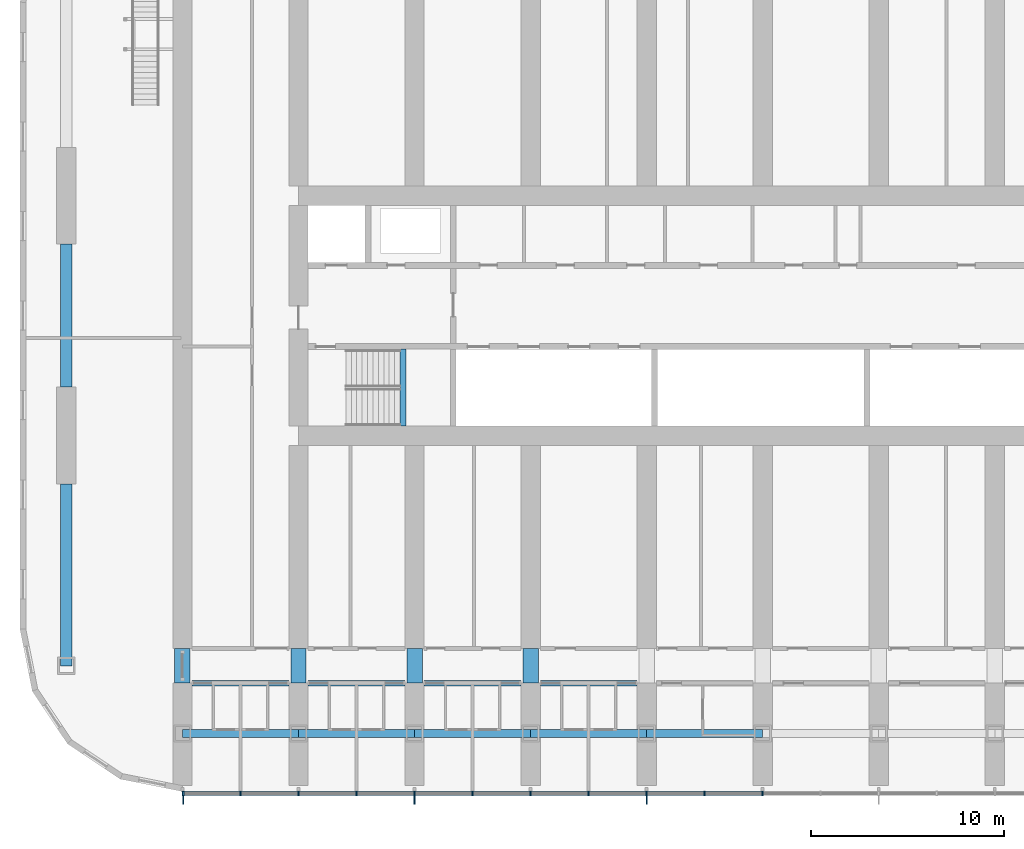
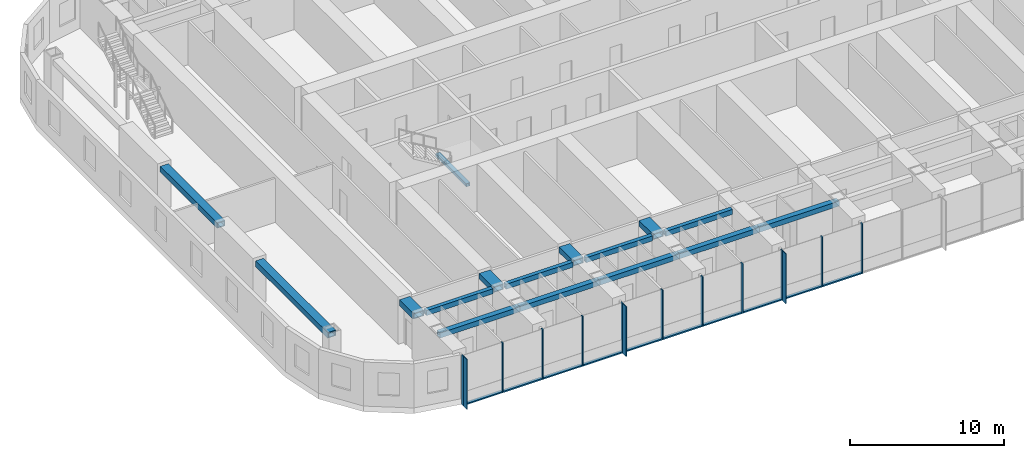
# One storey, part 4 of 28: 24 members, 16 beams, 1 element without a shape of its own.
"""IFC4 building model written with IfcOpenShell, lengths in metres."""

from ifc_helpers import new_model, si_unit, direction, frame, origin, origin_2d, place, context, subcontext, project, spatial, rectangle, hollow_rectangle, extrude, material, material_profile, profile_set, type_object, element, aggregate, save


model = new_model("IFC4")

# Units and contexts
model_context = context("Model", 3, precision=1e-05, world=origin(), true_north=direction((0.0, 1.0)))
body_context = subcontext(model_context, "Body", "Model", "MODEL_VIEW")
ifc_project = project(units=[si_unit("LENGTHUNIT", "METRE"), si_unit("AREAUNIT", "SQUARE_METRE"), si_unit("VOLUMEUNIT", "CUBIC_METRE"), si_unit("PLANEANGLEUNIT", "RADIAN"), si_unit("MASSUNIT", "GRAM", prefix="KILO")], contexts=[model_context])

# Site, building, storey
site_placement = place(None, origin())
site = spatial("IfcSite", under=ifc_project, at=site_placement, CompositionType="ELEMENT")
building_placement = place(site_placement, origin())
building = spatial("IfcBuilding", under=site, at=building_placement, Name="Orbita Commons", CompositionType="ELEMENT")
storey_placement = place(building_placement, frame((0.0, 0.0, 38.949951171875)))
storey = spatial("IfcBuildingStorey", under=building, at=storey_placement, Name="L09", CompositionType="ELEMENT", Elevation=38.949951171875)

# Curtain wall, members
ifc_material_1 = material(Name="Anodised aluminium frame, pale silver", Category="aluminium")
curtain_wall_type = type_object("IfcCurtainWallType", Name="Unitised curtain wall CW-T, vision and spandrel", PredefinedType="NOTDEFINED", material=ifc_material_1)
curtain_wall_placement = place(storey_placement, origin())
curtain_wall = element("IfcCurtainWall", 1, at=curtain_wall_placement, inside=storey, type_object=curtain_wall_type, Name="Curtain wall south L09", PredefinedType="NOTDEFINED")
ifc_material_2 = material(Name="Anodised aluminium, pale silver", Category="aluminium")
ifc_material_profile_1 = material_profile(ifc_material_2, rectangle(XDim=0.080078125, YDim=0.219970703125, at=origin_2d()), Name="AL 80x220")
ifc_profile_set_1 = profile_set([ifc_material_profile_1], Name="Anodised aluminium, pale silver")
member_type_1 = type_object("IfcMemberType", Name="Curtain wall mullion 80x220", PredefinedType="MULLION", material=ifc_profile_set_1)
member_1_placement = place(storey_placement, frame((12.0400390625, 7.2900390625, -0.449951171875), z_axis=(0.0, 0.0, 1.0), x_axis=(1.0, 0.0, 0.0)))
member_1 = element("IfcMember", 2, at=member_1_placement, type_object=member_type_1, Name="Mullion 1 CW-L09-S", PredefinedType="MULLION", context=body_context, shape_type="SweptSolid", body=[
    extrude(rectangle(XDim=0.080078125, YDim=0.219970703125, at=origin_2d()), origin(), (0.0, 0.0, 1.0), 3.949951171875),
])
member_2_placement = place(storey_placement, frame((15.0, 7.2900390625, -0.449951171875), z_axis=(0.0, 0.0, 1.0), x_axis=(1.0, 0.0, 0.0)))
member_2 = element("IfcMember", 3, at=member_2_placement, type_object=member_type_1, Name="Mullion 2 CW-L09-S", PredefinedType="MULLION", context=body_context, shape_type="SweptSolid", body=[
    extrude(rectangle(XDim=0.080078125, YDim=0.219970703125, at=origin_2d()), origin(), (0.0, 0.0, 1.0), 3.949951171875),
])
member_3_placement = place(storey_placement, frame((18.0, 7.2900390625, -0.449951171875), z_axis=(0.0, 0.0, 1.0), x_axis=(1.0, 0.0, 0.0)))
member_3 = element("IfcMember", 4, at=member_3_placement, type_object=member_type_1, Name="Mullion 3 CW-L09-S", PredefinedType="MULLION", context=body_context, shape_type="SweptSolid", body=[
    extrude(rectangle(XDim=0.080078125, YDim=0.219970703125, at=origin_2d()), origin(), (0.0, 0.0, 1.0), 3.949951171875),
])
member_4_placement = place(storey_placement, frame((21.0, 7.2900390625, -0.449951171875), z_axis=(0.0, 0.0, 1.0), x_axis=(1.0, 0.0, 0.0)))
member_4 = element("IfcMember", 5, at=member_4_placement, type_object=member_type_1, Name="Mullion 4 CW-L09-S", PredefinedType="MULLION", context=body_context, shape_type="SweptSolid", body=[
    extrude(rectangle(XDim=0.080078125, YDim=0.219970703125, at=origin_2d()), origin(), (0.0, 0.0, 1.0), 3.949951171875),
])
member_5_placement = place(storey_placement, frame((24.0, 7.2900390625, -0.449951171875), z_axis=(0.0, 0.0, 1.0), x_axis=(1.0, 0.0, 0.0)))
member_5 = element("IfcMember", 6, at=member_5_placement, type_object=member_type_1, Name="Mullion 5 CW-L09-S", PredefinedType="MULLION", context=body_context, shape_type="SweptSolid", body=[
    extrude(rectangle(XDim=0.080078125, YDim=0.219970703125, at=origin_2d()), origin(), (0.0, 0.0, 1.0), 3.949951171875),
])
member_6_placement = place(storey_placement, frame((27.0, 7.2900390625, -0.449951171875), z_axis=(0.0, 0.0, 1.0), x_axis=(1.0, 0.0, 0.0)))
member_6 = element("IfcMember", 7, at=member_6_placement, type_object=member_type_1, Name="Mullion 6 CW-L09-S", PredefinedType="MULLION", context=body_context, shape_type="SweptSolid", body=[
    extrude(rectangle(XDim=0.080078125, YDim=0.219970703125, at=origin_2d()), origin(), (0.0, 0.0, 1.0), 3.949951171875),
])
member_7_placement = place(storey_placement, frame((30.0, 7.2900390625, -0.449951171875), z_axis=(0.0, 0.0, 1.0), x_axis=(1.0, 0.0, 0.0)))
member_7 = element("IfcMember", 8, at=member_7_placement, type_object=member_type_1, Name="Mullion 7 CW-L09-S", PredefinedType="MULLION", context=body_context, shape_type="SweptSolid", body=[
    extrude(rectangle(XDim=0.080078125, YDim=0.219970703125, at=origin_2d()), origin(), (0.0, 0.0, 1.0), 3.949951171875),
])
member_8_placement = place(storey_placement, frame((33.0, 7.2900390625, -0.449951171875), z_axis=(0.0, 0.0, 1.0), x_axis=(1.0, 0.0, 0.0)))
member_8 = element("IfcMember", 9, at=member_8_placement, type_object=member_type_1, Name="Mullion 8 CW-L09-S", PredefinedType="MULLION", context=body_context, shape_type="SweptSolid", body=[
    extrude(rectangle(XDim=0.080078125, YDim=0.219970703125, at=origin_2d()), origin(), (0.0, 0.0, 1.0), 3.949951171875),
])
member_9_placement = place(storey_placement, frame((36.0, 7.2900390625, -0.449951171875), z_axis=(0.0, 0.0, 1.0), x_axis=(1.0, 0.0, 0.0)))
member_9 = element("IfcMember", 10, at=member_9_placement, type_object=member_type_1, Name="Mullion 9 CW-L09-S", PredefinedType="MULLION", context=body_context, shape_type="SweptSolid", body=[
    extrude(rectangle(XDim=0.080078125, YDim=0.219970703125, at=origin_2d()), origin(), (0.0, 0.0, 1.0), 3.949951171875),
])
member_10_placement = place(storey_placement, frame((39.0, 7.2900390625, -0.449951171875), z_axis=(0.0, 0.0, 1.0), x_axis=(1.0, 0.0, 0.0)))
member_10 = element("IfcMember", 11, at=member_10_placement, type_object=member_type_1, Name="Mullion 10 CW-L09-S", PredefinedType="MULLION", context=body_context, shape_type="SweptSolid", body=[
    extrude(rectangle(XDim=0.080078125, YDim=0.219970703125, at=origin_2d()), origin(), (0.0, 0.0, 1.0), 3.949951171875),
])
member_11_placement = place(storey_placement, frame((42.0, 7.2900390625, -0.449951171875), z_axis=(0.0, 0.0, 1.0), x_axis=(1.0, 0.0, 0.0)))
member_11 = element("IfcMember", 12, at=member_11_placement, type_object=member_type_1, Name="Mullion 11 CW-L09-S", PredefinedType="MULLION", context=body_context, shape_type="SweptSolid", body=[
    extrude(rectangle(XDim=0.080078125, YDim=0.219970703125, at=origin_2d()), origin(), (0.0, 0.0, 1.0), 3.949951171875),
])
ifc_material_3 = material(Name="Anodised aluminium, pale silver", Category="aluminium")
ifc_material_profile_2 = material_profile(ifc_material_3, rectangle(XDim=0.219970703125, YDim=0.10009765625, at=origin_2d()), Name="AL 220x100")
ifc_profile_set_2 = profile_set([ifc_material_profile_2], Name="Anodised aluminium, pale silver")
member_type_2 = type_object("IfcMemberType", Name="Curtain wall stack transom 220x100", PredefinedType="USERDEFINED", material=ifc_profile_set_2)
member_12_placement = place(storey_placement, frame((12.080078125, 7.2900390625, -0.39990234375), z_axis=(1.0, 0.0, 0.0), x_axis=(0.0, 1.0, 0.0)))
member_12 = element("IfcMember", 13, at=member_12_placement, type_object=member_type_2, Name="Transom 1.1 CW-L09-S", ObjectType="TRANSOM", PredefinedType="USERDEFINED", context=body_context, shape_type="SweptSolid", body=[
    extrude(rectangle(XDim=0.219970703125, YDim=0.10009765625, at=origin_2d()), origin(), (0.0, 0.0, 1.0), 2.8798828125),
])
member_13_placement = place(storey_placement, frame((15.0400390625, 7.2900390625, -0.39990234375), z_axis=(1.0, 0.0, 0.0), x_axis=(0.0, 1.0, 0.0)))
member_13 = element("IfcMember", 14, at=member_13_placement, type_object=member_type_2, Name="Transom 2.1 CW-L09-S", ObjectType="TRANSOM", PredefinedType="USERDEFINED", context=body_context, shape_type="SweptSolid", body=[
    extrude(rectangle(XDim=0.219970703125, YDim=0.10009765625, at=origin_2d()), origin(), (0.0, 0.0, 1.0), 2.919921875),
])
member_14_placement = place(storey_placement, frame((18.0400390625, 7.2900390625, -0.39990234375), z_axis=(1.0, 0.0, 0.0), x_axis=(0.0, 1.0, 0.0)))
member_14 = element("IfcMember", 15, at=member_14_placement, type_object=member_type_2, Name="Transom 3.1 CW-L09-S", ObjectType="TRANSOM", PredefinedType="USERDEFINED", context=body_context, shape_type="SweptSolid", body=[
    extrude(rectangle(XDim=0.219970703125, YDim=0.10009765625, at=origin_2d()), origin(), (0.0, 0.0, 1.0), 2.919921875),
])
member_15_placement = place(storey_placement, frame((21.0400390625, 7.2900390625, -0.39990234375), z_axis=(1.0, 0.0, 0.0), x_axis=(0.0, 1.0, 0.0)))
member_15 = element("IfcMember", 16, at=member_15_placement, type_object=member_type_2, Name="Transom 4.1 CW-L09-S", ObjectType="TRANSOM", PredefinedType="USERDEFINED", context=body_context, shape_type="SweptSolid", body=[
    extrude(rectangle(XDim=0.219970703125, YDim=0.10009765625, at=origin_2d()), origin(), (0.0, 0.0, 1.0), 2.919921875),
])
member_16_placement = place(storey_placement, frame((24.0400390625, 7.2900390625, -0.39990234375), z_axis=(1.0, 0.0, 0.0), x_axis=(0.0, 1.0, 0.0)))
member_16 = element("IfcMember", 17, at=member_16_placement, type_object=member_type_2, Name="Transom 5.1 CW-L09-S", ObjectType="TRANSOM", PredefinedType="USERDEFINED", context=body_context, shape_type="SweptSolid", body=[
    extrude(rectangle(XDim=0.219970703125, YDim=0.10009765625, at=origin_2d()), origin(), (0.0, 0.0, 1.0), 2.919921875),
])
member_17_placement = place(storey_placement, frame((27.0400390625, 7.2900390625, -0.39990234375), z_axis=(1.0, 0.0, 0.0), x_axis=(0.0, 1.0, 0.0)))
member_17 = element("IfcMember", 18, at=member_17_placement, type_object=member_type_2, Name="Transom 6.1 CW-L09-S", ObjectType="TRANSOM", PredefinedType="USERDEFINED", context=body_context, shape_type="SweptSolid", body=[
    extrude(rectangle(XDim=0.219970703125, YDim=0.10009765625, at=origin_2d()), origin(), (0.0, 0.0, 1.0), 2.919921875),
])
member_18_placement = place(storey_placement, frame((30.0400390625, 7.2900390625, -0.39990234375), z_axis=(1.0, 0.0, 0.0), x_axis=(0.0, 1.0, 0.0)))
member_18 = element("IfcMember", 19, at=member_18_placement, type_object=member_type_2, Name="Transom 7.1 CW-L09-S", ObjectType="TRANSOM", PredefinedType="USERDEFINED", context=body_context, shape_type="SweptSolid", body=[
    extrude(rectangle(XDim=0.219970703125, YDim=0.10009765625, at=origin_2d()), origin(), (0.0, 0.0, 1.0), 2.919921875),
])
member_19_placement = place(storey_placement, frame((33.0400390625, 7.2900390625, -0.39990234375), z_axis=(1.0, 0.0, 0.0), x_axis=(0.0, 1.0, 0.0)))
member_19 = element("IfcMember", 20, at=member_19_placement, type_object=member_type_2, Name="Transom 8.1 CW-L09-S", ObjectType="TRANSOM", PredefinedType="USERDEFINED", context=body_context, shape_type="SweptSolid", body=[
    extrude(rectangle(XDim=0.219970703125, YDim=0.10009765625, at=origin_2d()), origin(), (0.0, 0.0, 1.0), 2.919921875),
])
member_20_placement = place(storey_placement, frame((36.0400390625, 7.2900390625, -0.39990234375), z_axis=(1.0, 0.0, 0.0), x_axis=(0.0, 1.0, 0.0)))
member_20 = element("IfcMember", 21, at=member_20_placement, type_object=member_type_2, Name="Transom 9.1 CW-L09-S", ObjectType="TRANSOM", PredefinedType="USERDEFINED", context=body_context, shape_type="SweptSolid", body=[
    extrude(rectangle(XDim=0.219970703125, YDim=0.10009765625, at=origin_2d()), origin(), (0.0, 0.0, 1.0), 2.919921875),
])
member_21_placement = place(storey_placement, frame((39.0400390625, 7.2900390625, -0.39990234375), z_axis=(1.0, 0.0, 0.0), x_axis=(0.0, 1.0, 0.0)))
member_21 = element("IfcMember", 22, at=member_21_placement, type_object=member_type_2, Name="Transom 10.1 CW-L09-S", ObjectType="TRANSOM", PredefinedType="USERDEFINED", context=body_context, shape_type="SweptSolid", body=[
    extrude(rectangle(XDim=0.219970703125, YDim=0.10009765625, at=origin_2d()), origin(), (0.0, 0.0, 1.0), 2.919921875),
])

# Beams
ifc_material_4 = material(Name="Steel ASTM A572 Gr 50 welded plate", Category="steel")
ifc_material_profile_3 = material_profile(ifc_material_4, hollow_rectangle(XDim=0.300048828125, YDim=0.25, WallThickness=0.02490234375, at=origin_2d()), Name="BOX 250x300x25")
ifc_profile_set_3 = profile_set([ifc_material_profile_3], Name="Steel ASTM A572 Gr 50 welded plate")
beam_type_1 = type_object("IfcBeamType", Name="Stair landing beam steel BOX 250x300x25", PredefinedType="BEAM", material=ifc_profile_set_3)
beam_1_placement = place(storey_placement, frame((23.39990234375, 26.284912109375, 1.550048828125), z_axis=(0.0, 1.0, 0.0), x_axis=(-1.0, 0.0, 0.0)))
element("IfcBeam", 23, at=beam_1_placement, inside=storey, type_object=beam_type_1, Name="Stair S1 landing beam L09 1", PredefinedType="BEAM", context=body_context, shape_type="SweptSolid", body=[
    extrude(hollow_rectangle(XDim=0.300048828125, YDim=0.25, WallThickness=0.02490234375, at=origin_2d()), origin(), (0.0, 0.0, 1.0), 3.97998046875),
])
ifc_material_5 = material(Name="Steel ASTM A572 Gr 50 welded plate", Category="steel")
ifc_material_profile_4 = material_profile(ifc_material_5, hollow_rectangle(XDim=0.300048828125, YDim=0.39990234375, WallThickness=0.0400390625, at=origin_2d()), Name="BOX 400x300x40")
ifc_profile_set_4 = profile_set([ifc_material_profile_4], Name="Steel ASTM A572 Gr 50 welded plate")
beam_type_2 = type_object("IfcBeamType", Name="Steel corridor link BOX 400x300x40", PredefinedType="BEAM", material=ifc_profile_set_4)
for number, where, z_axis, x_axis, name in (
    (24, (12.5, 13.0, 3.300048828125), (1.0, 0.0, 0.0), (0.0, 1.0, 0.0), "Corridor beam SA 3-4 L09"),
    (25, (18.5, 13.0, 3.300048828125), (1.0, 0.0, 0.0), (0.0, 1.0, 0.0), "Corridor beam SA 4-5 L09"),
    (26, (24.5, 13.0, 3.300048828125), (1.0, 0.0, 0.0), (0.0, 1.0, 0.0), "Corridor beam SA 5-6 L09"),
    (27, (30.5, 13.0, 3.300048828125), (1.0, 0.0, 0.0), (0.0, 1.0, 0.0), "Corridor beam SA 6-7 L09"),
):
    element("IfcBeam", number, at=place(storey_placement, frame(where, z_axis=z_axis, x_axis=x_axis)), inside=storey, type_object=beam_type_2, Name=name, PredefinedType="BEAM", context=body_context, shape_type="SweptSolid", body=[
        extrude(hollow_rectangle(XDim=0.300048828125, YDim=0.39990234375, WallThickness=0.0400390625, at=origin_2d()), origin(), (0.0, 0.0, 1.0), 5.0),
    ])
ifc_material_6 = material(Name="Steel ASTM A572 Gr 50 welded plate", Category="steel")
ifc_material_profile_5 = material_profile(ifc_material_6, hollow_rectangle(XDim=0.800048828125, YDim=0.449951171875, WallThickness=0.06005859375, at=origin_2d()), Name="BOX 450x800x60")
ifc_profile_set_5 = profile_set([ifc_material_profile_5], Name="Steel ASTM A572 Gr 50 welded plate")
beam_type_3 = type_object("IfcBeamType", Name="Steel coupling link BOX 450x800x60", PredefinedType="LINTEL", material=ifc_profile_set_5)
for number, where, z_axis, x_axis, name in (
    (28, (12.0, 13.0, 3.275146484375), (0.0, 1.0, 0.0), (-1.0, 0.0, 0.0), "Coupling beam 3 south L09"),
    (29, (18.0, 13.0, 3.275146484375), (0.0, 1.0, 0.0), (-1.0, 0.0, 0.0), "Coupling beam 4 south L09"),
    (30, (24.0, 13.0, 3.275146484375), (0.0, 1.0, 0.0), (-1.0, 0.0, 0.0), "Coupling beam 5 south L09"),
    (31, (30.0, 13.0, 3.275146484375), (0.0, 1.0, 0.0), (-1.0, 0.0, 0.0), "Coupling beam 6 south L09"),
):
    element("IfcBeam", number, at=place(storey_placement, frame(where, z_axis=z_axis, x_axis=x_axis)), inside=storey, type_object=beam_type_3, Name=name, PredefinedType="LINTEL", context=body_context, shape_type="SweptSolid", body=[
        extrude(hollow_rectangle(XDim=0.800048828125, YDim=0.449951171875, WallThickness=0.06005859375, at=origin_2d()), origin(), (0.0, 0.0, 1.0), 1.800048828125),
    ])
ifc_material_7 = material(Name="Steel ASTM A572 Gr 50 welded plate", Category="steel")
ifc_material_profile_6 = material_profile(ifc_material_7, hollow_rectangle(XDim=0.60009765625, YDim=0.449951171875, WallThickness=0.06005859375, at=origin_2d()), Name="BOX 450x600x60")
ifc_profile_set_6 = profile_set([ifc_material_profile_6], Name="Steel ASTM A572 Gr 50 welded plate")
beam_type_4 = type_object("IfcBeamType", Name="Steel end frame link BOX 450x600x60", PredefinedType="BEAM", material=ifc_profile_set_6)
beam_2_placement = place(storey_placement, frame((6.0, 13.89990234375, 3.275146484375), z_axis=(0.0, 1.0, 0.0), x_axis=(-1.0, 0.0, 0.0)))
element("IfcBeam", 32, at=beam_2_placement, inside=storey, type_object=beam_type_4, Name="End frame beam 2 B-C L09", PredefinedType="BEAM", context=body_context, shape_type="SweptSolid", body=[
    extrude(hollow_rectangle(XDim=0.60009765625, YDim=0.449951171875, WallThickness=0.06005859375, at=origin_2d()), origin(), (0.0, 0.0, 1.0), 9.400146484375),
])
beam_3_placement = place(storey_placement, frame((6.0, 28.300048828125, 3.275146484375), z_axis=(0.0, 1.0, 0.0), x_axis=(-1.0, 0.0, 0.0)))
element("IfcBeam", 33, at=beam_3_placement, inside=storey, type_object=beam_type_4, Name="End frame beam 2 C-D L09", PredefinedType="BEAM", context=body_context, shape_type="SweptSolid", body=[
    extrude(hollow_rectangle(XDim=0.60009765625, YDim=0.449951171875, WallThickness=0.06005859375, at=origin_2d()), origin(), (0.0, 0.0, 1.0), 7.39990234375),
])
ifc_material_8 = material(Name="Steel ASTM A572 Gr 50 welded plate", Category="steel")
ifc_material_profile_7 = material_profile(ifc_material_8, hollow_rectangle(XDim=0.39990234375, YDim=0.39990234375, WallThickness=0.0400390625, at=origin_2d()), Name="BOX 400x400x40")
ifc_profile_set_7 = profile_set([ifc_material_profile_7], Name="Steel ASTM A572 Gr 50 welded plate")
beam_type_5 = type_object("IfcBeamType", Name="Steel spandrel BOX 400x400x40", PredefinedType="SPANDREL", material=ifc_profile_set_7)
for number, where, z_axis, x_axis, name in (
    (34, (12.0, 10.39990234375, 3.300048828125), (1.0, 0.0, 0.0), (0.0, 1.0, 0.0), "Spandrel beam B 3-4 L09"),
    (35, (18.0, 10.39990234375, 3.300048828125), (1.0, 0.0, 0.0), (0.0, 1.0, 0.0), "Spandrel beam B 4-5 L09"),
    (36, (24.0, 10.39990234375, 3.300048828125), (1.0, 0.0, 0.0), (0.0, 1.0, 0.0), "Spandrel beam B 5-6 L09"),
    (37, (30.0, 10.39990234375, 3.300048828125), (1.0, 0.0, 0.0), (0.0, 1.0, 0.0), "Spandrel beam B 6-7 L09"),
    (38, (36.0, 10.39990234375, 3.300048828125), (1.0, 0.0, 0.0), (0.0, 1.0, 0.0), "Spandrel beam B 7-8 L09"),
):
    element("IfcBeam", number, at=place(storey_placement, frame(where, z_axis=z_axis, x_axis=x_axis)), inside=storey, type_object=beam_type_5, Name=name, PredefinedType="SPANDREL", context=body_context, shape_type="SweptSolid", body=[
        extrude(hollow_rectangle(XDim=0.39990234375, YDim=0.39990234375, WallThickness=0.0400390625, at=origin_2d()), origin(), (0.0, 0.0, 1.0), 6.0),
    ])

# Member
ifc_material_9 = material(Name="Anodised aluminium, pale silver", Category="aluminium")
ifc_material_profile_8 = material_profile(ifc_material_9, rectangle(XDim=0.06005859375, YDim=0.449951171875, at=origin_2d()), Name="FIN 60x450")
ifc_profile_set_8 = profile_set([ifc_material_profile_8], Name="Anodised aluminium, pale silver")
member_type_3 = type_object("IfcMemberType", Name="Vertical fin 60x450 pale aluminium", PredefinedType="USERDEFINED", material=ifc_profile_set_8)
member_22_placement = place(storey_placement, frame((12.0400390625, 6.955078125, -0.449951171875), z_axis=(0.0, 0.0, 1.0), x_axis=(1.0, 0.0, 0.0)))
member_22 = element("IfcMember", 39, at=member_22_placement, type_object=member_type_3, Name="Fin 1 CW-L09-S", ObjectType="FIN", PredefinedType="USERDEFINED", context=body_context, shape_type="SweptSolid", body=[
    extrude(rectangle(XDim=0.06005859375, YDim=0.449951171875, at=origin_2d()), origin(), (0.0, 0.0, 1.0), 3.949951171875),
])

member_23_placement = place(storey_placement, frame((24.0, 6.955078125, -0.449951171875), z_axis=(0.0, 0.0, 1.0), x_axis=(1.0, 0.0, 0.0)))
member_23 = element("IfcMember", 40, at=member_23_placement, type_object=member_type_3, Name="Fin 5 CW-L09-S", ObjectType="FIN", PredefinedType="USERDEFINED", context=body_context, shape_type="SweptSolid", body=[
    extrude(rectangle(XDim=0.06005859375, YDim=0.449951171875, at=origin_2d()), origin(), (0.0, 0.0, 1.0), 3.949951171875),
])

member_24_placement = place(storey_placement, frame((36.0, 6.955078125, -0.449951171875), z_axis=(0.0, 0.0, 1.0), x_axis=(1.0, 0.0, 0.0)))
member_24 = element("IfcMember", 41, at=member_24_placement, type_object=member_type_3, Name="Fin 9 CW-L09-S", ObjectType="FIN", PredefinedType="USERDEFINED", context=body_context, shape_type="SweptSolid", body=[
    extrude(rectangle(XDim=0.06005859375, YDim=0.449951171875, at=origin_2d()), origin(), (0.0, 0.0, 1.0), 3.949951171875),
])

aggregate(curtain_wall, [member_1, member_22, member_2, member_3, member_4, member_5, member_23, member_6, member_7, member_8, member_9, member_24, member_10, member_11, member_12, member_13, member_14, member_15, member_16, member_17, member_18, member_19, member_20, member_21])

save(model, "model.ifc")
